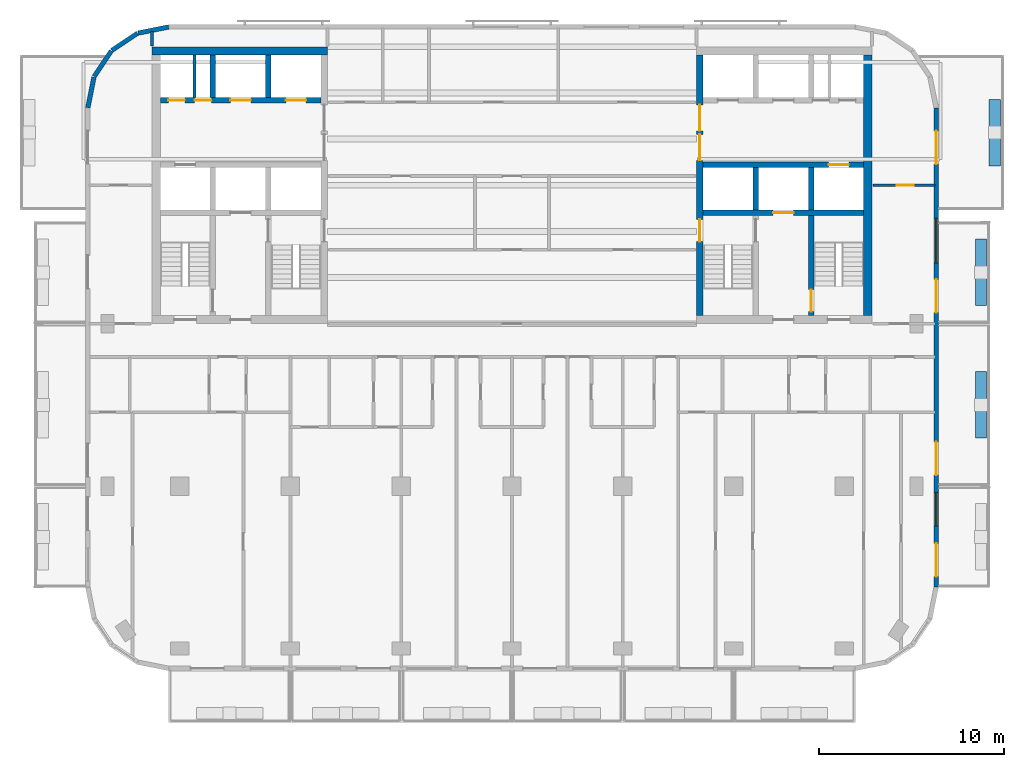
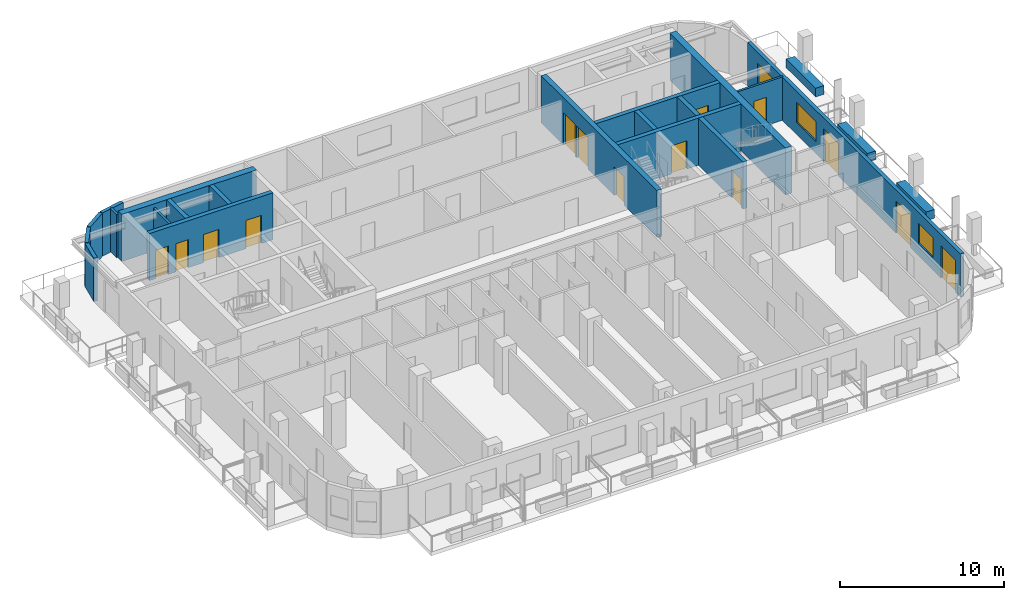
# One storey, part 6 of 11: 22 walls, 15 doors, 2 windows, 17 openings.
"""IFC4 building model written with IfcOpenShell, lengths in metres."""

from ifc_helpers import new_model, si_unit, direction, frame, frame_2d, origin, place, context, subcontext, project, spatial, rectangle, extrude, material, layer, layer_set, type_object, element, fill, save


model = new_model("IFC4")

# Units and contexts
model_context = context("Model", 3, precision=1e-05, world=origin(), true_north=direction((0.0, 1.0)))
body_context = subcontext(model_context, "Body", "Model", "MODEL_VIEW")
ifc_project = project(units=[si_unit("LENGTHUNIT", "METRE"), si_unit("AREAUNIT", "SQUARE_METRE"), si_unit("VOLUMEUNIT", "CUBIC_METRE"), si_unit("PLANEANGLEUNIT", "RADIAN"), si_unit("MASSUNIT", "GRAM", prefix="KILO")], contexts=[model_context])

# Site, building, storey
site_placement = place(None, origin())
site = spatial("IfcSite", under=ifc_project, at=site_placement, CompositionType="ELEMENT")
building_placement = place(site_placement, origin())
building = spatial("IfcBuilding", under=site, at=building_placement, Name="Torana Hotel and Residences", CompositionType="ELEMENT")
storey_placement = place(building_placement, frame((0.0, 0.0, 256.10009765625)))
storey = spatial("IfcBuildingStorey", under=building, at=storey_placement, Name="L67", CompositionType="ELEMENT", Elevation=256.10009765625)

# Wall, openings, doors
ifc_material_1 = material(Name="Concrete C60/75", Category="concrete")
ifc_layer_1 = layer(ifc_material_1, 0.300048828125)
ifc_layer_set_1 = layer_set([ifc_layer_1], Name="CORE WALL 300 C60/75")
wall_type_1 = type_object("IfcWallType", Name="CORE WALL 300 C60/75", PredefinedType="SHEAR", material=ifc_layer_set_1)
wall_1_placement = place(storey_placement, frame((-19.050048828125, -2.89990234375, 0.0), z_axis=(0.0, 0.0, 1.0), x_axis=(1.0, 0.0, 0.0)))
wall_1 = element("IfcWall", 1, at=wall_1_placement, inside=storey, type_object=wall_type_1, Name="Core wall W row-N", PredefinedType="SHEAR", context=body_context, shape_type="SweptSolid", body=[
    extrude(rectangle(XDim=8.699951171875, YDim=0.300048828125, at=frame_2d((4.35009765625, 0.0))), origin(), (0.0, 0.0, 1.0), 3.5),
])
opening_1_placement = place(wall_1_placement, frame((6.800048828125, 0.0, 0.0)))
opening_1 = element("IfcOpeningElement", 2, at=opening_1_placement, cuts=wall_1, Name="Opening LD", PredefinedType="OPENING", context=body_context, shape_type="SweptSolid", body=[
    extrude(rectangle(XDim=1.10009765625, YDim=2.10009765625, at=frame_2d((0.550048828125, 1.050048828125))), frame((0.0, 0.159912109375, 0.0), z_axis=(0.0, -1.0, 0.0), x_axis=(1.0, 0.0, 0.0)), (0.0, 0.0, 1.0), 0.320068359375),
])
opening_2_placement = place(wall_1_placement, frame((3.800048828125, 0.0, 0.0)))
opening_2 = element("IfcOpeningElement", 3, at=opening_2_placement, cuts=wall_1, Name="Opening LD", PredefinedType="OPENING", context=body_context, shape_type="SweptSolid", body=[
    extrude(rectangle(XDim=1.10009765625, YDim=2.10009765625, at=frame_2d((0.550048828125, 1.050048828125))), frame((0.0, 0.159912109375, 0.0), z_axis=(0.0, -1.0, 0.0), x_axis=(1.0, 0.0, 0.0)), (0.0, 0.0, 1.0), 0.320068359375),
])
opening_3_placement = place(wall_1_placement, frame((1.862548828125, 0.0, 0.0)))
opening_3 = element("IfcOpeningElement", 4, at=opening_3_placement, cuts=wall_1, Name="Opening L67-06", PredefinedType="OPENING", context=body_context, shape_type="SweptSolid", body=[
    extrude(rectangle(XDim=0.89990234375, YDim=2.10009765625, at=frame_2d((0.449951171875, 1.050048828125))), frame((0.0, 0.159912109375, 0.0), z_axis=(0.0, -1.0, 0.0), x_axis=(1.0, 0.0, 0.0)), (0.0, 0.0, 1.0), 0.320068359375),
])
opening_4_placement = place(wall_1_placement, frame((0.4375, 0.0, 0.0)))
opening_4 = element("IfcOpeningElement", 5, at=opening_4_placement, cuts=wall_1, Name="Opening L67-07", PredefinedType="OPENING", context=body_context, shape_type="SweptSolid", body=[
    extrude(rectangle(XDim=0.89990234375, YDim=2.10009765625, at=frame_2d((0.449951171875, 1.050048828125))), frame((0.0, 0.159912109375, 0.0), z_axis=(0.0, -1.0, 0.0), x_axis=(1.0, 0.0, 0.0)), (0.0, 0.0, 1.0), 0.320068359375),
])
ifc_material_2 = material(Name="Stainless steel 316", Category="steel")
door_type_1 = type_object("IfcDoorType", Name="LIFT LANDING DOOR LD 1100x2100", OperationType="DOUBLE_DOOR_SLIDING", PredefinedType="USERDEFINED", material=ifc_material_2)
door_1_placement = place(opening_1_placement, origin())
door_1 = element("IfcDoor", 6, at=door_1_placement, inside=storey, type_object=door_type_1, Name="Lift landing door H1 L67", ObjectType="LIFT LANDING DOOR", OperationType="DOUBLE_DOOR_SLIDING", OverallHeight=2.10009765625, OverallWidth=1.10009765625, PredefinedType="USERDEFINED", context=body_context, shape_type="SweptSolid", body=[
    extrude(rectangle(XDim=1.10009765625, YDim=2.10009765625, at=frame_2d((0.550048828125, 1.050048828125))), frame((0.0, 0.02490234375, 0.0), z_axis=(0.0, -1.0, 0.0), x_axis=(1.0, 0.0, 0.0)), (0.0, 0.0, 1.0), 0.050048828125),
])
fill(opening_1, door_1)
door_2_placement = place(opening_2_placement, origin())
door_2 = element("IfcDoor", 7, at=door_2_placement, inside=storey, type_object=door_type_1, Name="Lift landing door H2 L67", ObjectType="LIFT LANDING DOOR", OperationType="DOUBLE_DOOR_SLIDING", OverallHeight=2.10009765625, OverallWidth=1.10009765625, PredefinedType="USERDEFINED", context=body_context, shape_type="SweptSolid", body=[
    extrude(rectangle(XDim=1.10009765625, YDim=2.10009765625, at=frame_2d((0.550048828125, 1.050048828125))), frame((0.0, 0.02490234375, 0.0), z_axis=(0.0, -1.0, 0.0), x_axis=(1.0, 0.0, 0.0)), (0.0, 0.0, 1.0), 0.050048828125),
])
fill(opening_2, door_2)
ifc_material_3 = material(Name="Steel S235", Category="steel")
door_type_2 = type_object("IfcDoorType", Name="RISER ACCESS DOOR D5 900x2100", OperationType="SINGLE_SWING_LEFT", PredefinedType="DOOR", material=ifc_material_3)
door_3_placement = place(opening_3_placement, origin())
door_3 = element("IfcDoor", 8, at=door_3_placement, inside=storey, type_object=door_type_2, Name="N2A door L67", OperationType="SINGLE_SWING_LEFT", OverallHeight=2.10009765625, OverallWidth=0.89990234375, PredefinedType="DOOR", context=body_context, shape_type="SweptSolid", body=[
    extrude(rectangle(XDim=0.89990234375, YDim=2.10009765625, at=frame_2d((0.449951171875, 1.050048828125))), frame((0.0, 0.02490234375, 0.0), z_axis=(0.0, -1.0, 0.0), x_axis=(1.0, 0.0, 0.0)), (0.0, 0.0, 1.0), 0.050048828125),
])
fill(opening_3, door_3)
door_4_placement = place(opening_4_placement, origin())
door_4 = element("IfcDoor", 9, at=door_4_placement, inside=storey, type_object=door_type_2, Name="N2B door L67", OperationType="SINGLE_SWING_RIGHT", OverallHeight=2.10009765625, OverallWidth=0.89990234375, PredefinedType="DOOR", context=body_context, shape_type="SweptSolid", body=[
    extrude(rectangle(XDim=0.89990234375, YDim=2.10009765625, at=frame_2d((0.449951171875, 1.050048828125))), frame((0.0, 0.02490234375, 0.0), z_axis=(0.0, -1.0, 0.0), x_axis=(1.0, 0.0, 0.0)), (0.0, 0.0, 1.0), 0.050048828125),
])
fill(opening_4, door_4)

# Walls
for number, where, z_axis, x_axis, name in (
    (10, (-13.199951171875, -2.75, 0.0), (0.0, 0.0, 1.0), (0.0, 1.0, 0.0), "Core wall W x3.05-N"),
    (11, (-16.199951171875, -2.75, 0.0), (0.0, 0.0, 1.0), (0.0, 1.0, 0.0), "Core wall W x6.05-N"),
):
    element("IfcWall", number, at=place(storey_placement, frame(where, z_axis=z_axis, x_axis=x_axis)), inside=storey, type_object=wall_type_1, Name=name, PredefinedType="SHEAR", context=body_context, shape_type="SweptSolid", body=[
        extrude(rectangle(XDim=2.300048828125, YDim=0.300048828125, at=frame_2d((1.14990234375, 0.0))), origin(), (0.0, 0.0, 1.0), 3.5),
    ])

# Wall, opening, door
wall_2_placement = place(storey_placement, frame((10.35009765625, -6.39990234375, 0.0), z_axis=(0.0, 0.0, 1.0), x_axis=(1.0, 0.0, 0.0)))
wall_2 = element("IfcWall", 12, at=wall_2_placement, inside=storey, type_object=wall_type_1, Name="Core wall E row-S", PredefinedType="SHEAR", context=body_context, shape_type="SweptSolid", body=[
    extrude(rectangle(XDim=8.699951171875, YDim=0.300048828125, at=frame_2d((4.35009765625, 0.0))), origin(), (0.0, 0.0, 1.0), 3.5),
])
opening_5_placement = place(wall_2_placement, frame((6.800048828125, 0.0, 0.0)))
opening_5 = element("IfcOpeningElement", 13, at=opening_5_placement, cuts=wall_2, Name="Opening LD", PredefinedType="OPENING", context=body_context, shape_type="SweptSolid", body=[
    extrude(rectangle(XDim=1.10009765625, YDim=2.10009765625, at=frame_2d((0.550048828125, 1.050048828125))), frame((0.0, 0.159912109375, 0.0), z_axis=(0.0, -1.0, 0.0), x_axis=(1.0, 0.0, 0.0)), (0.0, 0.0, 1.0), 0.320068359375),
])
door_5_placement = place(opening_5_placement, origin())
door_5 = element("IfcDoor", 14, at=door_5_placement, inside=storey, type_object=door_type_1, Name="Lift landing door SV2 L67", ObjectType="LIFT LANDING DOOR", OperationType="DOUBLE_DOOR_SLIDING", OverallHeight=2.10009765625, OverallWidth=1.10009765625, PredefinedType="USERDEFINED", context=body_context, shape_type="SweptSolid", body=[
    extrude(rectangle(XDim=1.10009765625, YDim=2.10009765625, at=frame_2d((0.550048828125, 1.050048828125))), frame((0.0, 0.02490234375, 0.0), z_axis=(0.0, -1.0, 0.0), x_axis=(1.0, 0.0, 0.0)), (0.0, 0.0, 1.0), 0.050048828125),
])
fill(opening_5, door_5)

wall_3_placement = place(storey_placement, frame((10.35009765625, -9.0, 0.0), z_axis=(0.0, 0.0, 1.0), x_axis=(1.0, 0.0, 0.0)))
wall_3 = element("IfcWall", 15, at=wall_3_placement, inside=storey, type_object=wall_type_1, Name="Core wall E band", PredefinedType="SHEAR", context=body_context, shape_type="SweptSolid", body=[
    extrude(rectangle(XDim=8.699951171875, YDim=0.300048828125, at=frame_2d((4.35009765625, 0.0))), origin(), (0.0, 0.0, 1.0), 3.5),
])
opening_6_placement = place(wall_3_placement, frame((3.800048828125, 0.0, 0.0)))
opening_6 = element("IfcOpeningElement", 16, at=opening_6_placement, cuts=wall_3, Name="Opening LD", PredefinedType="OPENING", context=body_context, shape_type="SweptSolid", body=[
    extrude(rectangle(XDim=1.10009765625, YDim=2.10009765625, at=frame_2d((0.550048828125, 1.050048828125))), frame((0.0, 0.159912109375, 0.0), z_axis=(0.0, -1.0, 0.0), x_axis=(1.0, 0.0, 0.0)), (0.0, 0.0, 1.0), 0.320068359375),
])
door_6_placement = place(opening_6_placement, origin())
door_6 = element("IfcDoor", 17, at=door_6_placement, inside=storey, type_object=door_type_1, Name="Lift landing door FF2 L67", ObjectType="LIFT LANDING DOOR", OperationType="DOUBLE_DOOR_SLIDING", OverallHeight=2.10009765625, OverallWidth=1.10009765625, PredefinedType="USERDEFINED", context=body_context, shape_type="SweptSolid", body=[
    extrude(rectangle(XDim=1.10009765625, YDim=2.10009765625, at=frame_2d((0.550048828125, 1.050048828125))), frame((0.0, 0.02490234375, 0.0), z_axis=(0.0, -1.0, 0.0), x_axis=(1.0, 0.0, 0.0)), (0.0, 0.0, 1.0), 0.050048828125),
])
fill(opening_6, door_6)

# Walls
for number, where, z_axis, x_axis, name in (
    (18, (13.199951171875, -8.85009765625, 0.0), (0.0, 0.0, 1.0), (0.0, 1.0, 0.0), "Core wall E x3.05-S"),
    (19, (16.199951171875, -8.85009765625, 0.0), (0.0, 0.0, 1.0), (0.0, 1.0, 0.0), "Core wall E x6.05-S"),
):
    element("IfcWall", number, at=place(storey_placement, frame(where, z_axis=z_axis, x_axis=x_axis)), inside=storey, type_object=wall_type_1, Name=name, PredefinedType="SHEAR", context=body_context, shape_type="SweptSolid", body=[
        extrude(rectangle(XDim=2.300048828125, YDim=0.300048828125, at=frame_2d((1.14990234375, 0.0))), origin(), (0.0, 0.0, 1.0), 3.5),
    ])

# Wall, opening, door
wall_4_placement = place(storey_placement, frame((16.199951171875, -14.550048828125, 0.0), z_axis=(0.0, 0.0, 1.0), x_axis=(0.0, 1.0, 0.0)))
wall_4 = element("IfcWall", 20, at=wall_4_placement, inside=storey, type_object=wall_type_1, Name="Core wall E x6.05-band", PredefinedType="SHEAR", context=body_context, shape_type="SweptSolid", body=[
    extrude(rectangle(XDim=5.400146484375, YDim=0.300048828125, at=frame_2d((2.7001953125, 0.0))), origin(), (0.0, 0.0, 1.0), 3.5),
])
opening_7_placement = place(wall_4_placement, frame((0.199951171875, 0.0, 0.0)))
opening_7 = element("IfcOpeningElement", 21, at=opening_7_placement, cuts=wall_4, Name="Opening L67-18", PredefinedType="OPENING", context=body_context, shape_type="SweptSolid", body=[
    extrude(rectangle(XDim=1.199951171875, YDim=2.10009765625, at=frame_2d((0.60009765625, 1.050048828125))), frame((0.0, 0.159912109375, 0.0), z_axis=(0.0, -1.0, 0.0), x_axis=(1.0, 0.0, 0.0)), (0.0, 0.0, 1.0), 0.320068359375),
])
ifc_material_4 = material(Name="Steel S235", Category="steel")
door_type_3 = type_object("IfcDoorType", Name="STAIR FIRE DOOR D3 1200x2100", OperationType="SINGLE_SWING_LEFT", PredefinedType="DOOR", material=ifc_material_4)
door_7_placement = place(opening_7_placement, frame((0.60009765625, 0.0, 0.0), z_axis=(0.0, 0.0, 1.0), x_axis=(-1.0, 0.0, 0.0)))
door_7 = element("IfcDoor", 22, at=door_7_placement, inside=storey, type_object=door_type_3, Name="Stair-B-lobby door L67", OperationType="SINGLE_SWING_LEFT", OverallHeight=2.10009765625, OverallWidth=1.199951171875, PredefinedType="DOOR", context=body_context, shape_type="SweptSolid", body=[
    extrude(rectangle(XDim=1.199951171875, YDim=2.10009765625, at=frame_2d((0.0, 1.050048828125))), frame((0.0, -0.02490234375, 0.0), z_axis=(0.0, 1.0, 0.0), x_axis=(-1.0, 0.0, 0.0)), (0.0, 0.0, 1.0), 0.050048828125),
])
fill(opening_7, door_7)

# Wall, openings, doors
ifc_material_5 = material(Name="Concrete C60/75", Category="concrete")
ifc_layer_2 = layer(ifc_material_5, 0.35009765625)
ifc_layer_set_2 = layer_set([ifc_layer_2], Name="CORE WALL 350 C60/75")
wall_type_2 = type_object("IfcWallType", Name="CORE WALL 350 C60/75", PredefinedType="SHEAR", material=ifc_layer_set_2)
wall_5_placement = place(storey_placement, frame((10.175048828125, -14.550048828125, 0.0), z_axis=(0.0, 0.0, 1.0), x_axis=(0.0, 1.0, 0.0)))
wall_5 = element("IfcWall", 23, at=wall_5_placement, inside=storey, type_object=wall_type_2, Name="Core wall E arch", PredefinedType="SHEAR", context=body_context, shape_type="SweptSolid", body=[
    extrude(rectangle(XDim=14.10009765625, YDim=0.35009765625, at=frame_2d((7.050048828125, 0.0))), origin(), (0.0, 0.0, 1.0), 3.5),
])
opening_8_placement = place(wall_5_placement, frame((8.39990234375, 0.0, 0.0)))
opening_8 = element("IfcOpeningElement", 24, at=opening_8_placement, cuts=wall_5, Name="Opening L67-10", PredefinedType="OPENING", context=body_context, shape_type="SweptSolid", body=[
    extrude(rectangle(XDim=1.39990234375, YDim=2.39990234375, at=frame_2d((0.699951171875, 1.199951171875))), frame((0.0, 0.18505859375, 0.0), z_axis=(0.0, -1.0, 0.0), x_axis=(1.0, 0.0, 0.0)), (0.0, 0.0, 1.0), 0.3701171875),
])
opening_9_placement = place(wall_5_placement, frame((10.0, 0.0, 0.0)))
opening_9 = element("IfcOpeningElement", 25, at=opening_9_placement, cuts=wall_5, Name="Opening L67-11", PredefinedType="OPENING", context=body_context, shape_type="SweptSolid", body=[
    extrude(rectangle(XDim=1.39990234375, YDim=2.39990234375, at=frame_2d((0.699951171875, 1.199951171875))), frame((0.0, 0.18505859375, 0.0), z_axis=(0.0, -1.0, 0.0), x_axis=(1.0, 0.0, 0.0)), (0.0, 0.0, 1.0), 0.3701171875),
])
opening_10_placement = place(wall_5_placement, frame((4.0, 0.0, 0.0)))
opening_10 = element("IfcOpeningElement", 26, at=opening_10_placement, cuts=wall_5, Name="Opening L67-12", PredefinedType="OPENING", context=body_context, shape_type="SweptSolid", body=[
    extrude(rectangle(XDim=1.199951171875, YDim=2.10009765625, at=frame_2d((0.60009765625, 1.050048828125))), frame((0.0, 0.18505859375, 0.0), z_axis=(0.0, -1.0, 0.0), x_axis=(1.0, 0.0, 0.0)), (0.0, 0.0, 1.0), 0.3701171875),
])
ifc_material_6 = material(Name="Steel S235", Category="steel")
door_type_4 = type_object("IfcDoorType", Name="LOBBY FIRE DOOR D4 1400x2400", OperationType="DOUBLE_DOOR_SINGLE_SWING", PredefinedType="DOOR", material=ifc_material_6)
door_8_placement = place(opening_8_placement, origin())
door_8 = element("IfcDoor", 27, at=door_8_placement, inside=storey, type_object=door_type_4, Name="Lobby-1 door L67", OperationType="DOUBLE_DOOR_SINGLE_SWING", OverallHeight=2.39990234375, OverallWidth=1.39990234375, PredefinedType="DOOR", context=body_context, shape_type="SweptSolid", body=[
    extrude(rectangle(XDim=1.39990234375, YDim=2.39990234375, at=frame_2d((0.699951171875, 1.199951171875))), frame((0.0, 0.02490234375, 0.0), z_axis=(0.0, -1.0, 0.0), x_axis=(1.0, 0.0, 0.0)), (0.0, 0.0, 1.0), 0.050048828125),
])
fill(opening_8, door_8)
door_9_placement = place(opening_9_placement, origin())
door_9 = element("IfcDoor", 28, at=door_9_placement, inside=storey, type_object=door_type_4, Name="Lobby-2 door L67", OperationType="DOUBLE_DOOR_SINGLE_SWING", OverallHeight=2.39990234375, OverallWidth=1.39990234375, PredefinedType="DOOR", context=body_context, shape_type="SweptSolid", body=[
    extrude(rectangle(XDim=1.39990234375, YDim=2.39990234375, at=frame_2d((0.699951171875, 1.199951171875))), frame((0.0, 0.02490234375, 0.0), z_axis=(0.0, -1.0, 0.0), x_axis=(1.0, 0.0, 0.0)), (0.0, 0.0, 1.0), 0.050048828125),
])
fill(opening_9, door_9)
door_10_placement = place(opening_10_placement, frame((0.60009765625, 0.0, 0.0), z_axis=(0.0, 0.0, 1.0), x_axis=(-1.0, 0.0, 0.0)))
door_10 = element("IfcDoor", 29, at=door_10_placement, inside=storey, type_object=door_type_3, Name="Stair-A door L67", OperationType="SINGLE_SWING_RIGHT", OverallHeight=2.10009765625, OverallWidth=1.199951171875, PredefinedType="DOOR", context=body_context, shape_type="SweptSolid", body=[
    extrude(rectangle(XDim=1.199951171875, YDim=2.10009765625, at=frame_2d((0.0, 1.050048828125))), frame((0.0, -0.02490234375, 0.0), z_axis=(0.0, 1.0, 0.0), x_axis=(-1.0, 0.0, 0.0)), (0.0, 0.0, 1.0), 0.050048828125),
])
fill(opening_10, door_10)

# Walls
ifc_material_7 = material(Name="Concrete C60/75", Category="concrete")
ifc_layer_3 = layer(ifc_material_7, 0.449951171875)
ifc_layer_set_3 = layer_set([ifc_layer_3], Name="CORE WALL 450 C60/75")
wall_type_3 = type_object("IfcWallType", Name="CORE WALL 450 C60/75", PredefinedType="SHEAR", material=ifc_layer_set_3)
wall_6_placement = place(storey_placement, frame((-19.5, -0.22509765625, 0.0), z_axis=(0.0, 0.0, 1.0), x_axis=(1.0, 0.0, 0.0)))
element("IfcWall", 30, at=wall_6_placement, inside=storey, type_object=wall_type_3, Name="Core wall W rear", PredefinedType="SHEAR", context=body_context, shape_type="SweptSolid", body=[
    extrude(rectangle(XDim=9.5, YDim=0.449951171875, at=frame_2d((4.75, 0.0))), origin(), (0.0, 0.0, 1.0), 3.5),
])
wall_7_placement = place(storey_placement, frame((19.27490234375, -14.550048828125, 0.0), z_axis=(0.0, 0.0, 1.0), x_axis=(0.0, 1.0, 0.0)))
element("IfcWall", 31, at=wall_7_placement, inside=storey, type_object=wall_type_3, Name="Core wall E outer", PredefinedType="SHEAR", context=body_context, shape_type="SweptSolid", body=[
    extrude(rectangle(XDim=14.10009765625, YDim=0.449951171875, at=frame_2d((7.050048828125, 0.0))), origin(), (0.0, 0.0, 1.0), 3.5),
])
ifc_material_8 = material(Name="Black aluminium composite panel", Category="aluminium")
ifc_layer_4 = layer(ifc_material_8, 0.00390625, Name="Cladding", Category="cladding")
ifc_material_9 = material(Name="Ventilated air cavity")
ifc_layer_5 = layer(ifc_material_9, 0.0400390625, Name="Ventilated cavity", Category="cavity")
ifc_material_10 = material(Name="Mineral wool insulation")
ifc_layer_6 = layer(ifc_material_10, 0.090087890625, Name="Insulation", Category="insulation")
ifc_material_11 = material(Name="Steel S280GD", Category="steel")
ifc_layer_7 = layer(ifc_material_11, 0.092041015625, Name="Steel stud frame", Category="structure")
ifc_material_12 = material(Name="Fire rated plasterboard")
ifc_layer_8 = layer(ifc_material_12, 0.011962890625, Name="Inner board", Category="finish")
ifc_layer_9 = layer(ifc_material_12, 0.011962890625, Name="Second board", Category="finish")
ifc_layer_set_4 = layer_set([ifc_layer_4, ifc_layer_5, ifc_layer_6, ifc_layer_7, ifc_layer_8, ifc_layer_9], Name="EW1 EXTERNAL WALL BLACK METAL CLAD 250")
wall_type_4 = type_object("IfcWallType", Name="EW1 EXTERNAL WALL BLACK METAL CLAD 250", PredefinedType="SOLIDWALL", material=ifc_layer_set_4)
wall_8_placement = place(storey_placement, frame((-18.599853515625, 1.072509765625, 0.0), z_axis=(0.0, 0.0, 1.0), x_axis=(-0.980797896849, -0.195026884138, 0.0)))
element("IfcWall", 32, at=wall_8_placement, inside=storey, type_object=wall_type_4, Name="External wall L67 e0.5", PredefinedType="SOLIDWALL", context=body_context, shape_type="SweptSolid", body=[
    extrude(rectangle(XDim=1.68115234375, YDim=0.25, at=frame_2d((0.840576171875, 0.0))), origin(), (0.0, 0.0, 1.0), 3.219970703125),
])
for number, where, z_axis, x_axis, name in (
    (33, (-20.2939453125, 0.725830078125, 0.0), (0.0, 0.0, 1.0), (-0.831482937015, -0.55555029066, 0.0), "External wall L67 e0.6"),
    (34, (-21.705810546875, -0.228759765625, 0.0), (0.0, 0.0, 1.0), (-0.55555029066, -0.831482937015, 0.0), "External wall L67 e0.7"),
):
    element("IfcWall", number, at=place(storey_placement, frame(where, z_axis=z_axis, x_axis=x_axis)), inside=storey, type_object=wall_type_4, Name=name, PredefinedType="SOLIDWALL", context=body_context, shape_type="SweptSolid", body=[
        extrude(rectangle(XDim=1.65625, YDim=0.25, at=frame_2d((0.828125, 0.0))), origin(), (0.0, 0.0, 1.0), 3.219970703125),
    ])
wall_9_placement = place(storey_placement, frame((-22.64453125, -1.651123046875, 0.0), z_axis=(0.0, 0.0, 1.0), x_axis=(-0.19513878023, -0.980775640221, 0.0)))
element("IfcWall", 35, at=wall_9_placement, inside=storey, type_object=wall_type_4, Name="External wall L67 e0.8", PredefinedType="SOLIDWALL", context=body_context, shape_type="SweptSolid", body=[
    extrude(rectangle(XDim=1.681396484375, YDim=0.25, at=frame_2d((0.8408203125, 0.0))), origin(), (0.0, 0.0, 1.0), 3.219970703125),
])

# Wall, openings, doors, windows
wall_10_placement = place(storey_placement, frame((22.97509765625, -29.275390625, 0.0), z_axis=(0.0, 0.0, 1.0), x_axis=(0.0, 1.0, 0.0)))
wall_10 = element("IfcWall", 36, at=wall_10_placement, inside=storey, type_object=wall_type_4, Name="External wall L67 e0.19", PredefinedType="SOLIDWALL", context=body_context, shape_type="SweptSolid", body=[
    extrude(rectangle(XDim=25.95068359375, YDim=0.25, at=frame_2d((12.975341796875, 0.0))), origin(), (0.0, 0.0, 1.0), 3.219970703125),
])
opening_11_placement = place(wall_10_placement, frame((0.575439453125, 0.0, 0.0)))
opening_11 = element("IfcOpeningElement", 37, at=opening_11_placement, cuts=wall_10, Name="Opening L67-E07", PredefinedType="OPENING", context=body_context, shape_type="SweptSolid", body=[
    extrude(rectangle(XDim=1.800048828125, YDim=2.39990234375, at=frame_2d((0.89990234375, 1.199951171875))), frame((0.0, 0.135009765625, 0.0), z_axis=(0.0, -1.0, 0.0), x_axis=(1.0, 0.0, 0.0)), (0.0, 0.0, 1.0), 0.27001953125),
])
opening_12_placement = place(wall_10_placement, frame((3.325439453125, 0.0, 0.89990234375)))
opening_12 = element("IfcOpeningElement", 38, at=opening_12_placement, cuts=wall_10, Name="Opening W4", PredefinedType="OPENING", context=body_context, shape_type="SweptSolid", body=[
    extrude(rectangle(XDim=1.800048828125, YDim=1.5, at=frame_2d((0.89990234375, 0.75))), frame((0.0, 0.135009765625, 0.0), z_axis=(0.0, -1.0, 0.0), x_axis=(1.0, 0.0, 0.0)), (0.0, 0.0, 1.0), 0.27001953125),
])
opening_13_placement = place(wall_10_placement, frame((6.075439453125, 0.0, 0.0)))
opening_13 = element("IfcOpeningElement", 39, at=opening_13_placement, cuts=wall_10, Name="Opening L67-E08", PredefinedType="OPENING", context=body_context, shape_type="SweptSolid", body=[
    extrude(rectangle(XDim=1.800048828125, YDim=2.39990234375, at=frame_2d((0.89990234375, 1.199951171875))), frame((0.0, 0.135009765625, 0.0), z_axis=(0.0, -1.0, 0.0), x_axis=(1.0, 0.0, 0.0)), (0.0, 0.0, 1.0), 0.27001953125),
])
opening_14_placement = place(wall_10_placement, frame((14.87548828125, 0.0, 0.0)))
opening_14 = element("IfcOpeningElement", 40, at=opening_14_placement, cuts=wall_10, Name="Opening L67-E09", PredefinedType="OPENING", context=body_context, shape_type="SweptSolid", body=[
    extrude(rectangle(XDim=1.800048828125, YDim=2.39990234375, at=frame_2d((0.89990234375, 1.199951171875))), frame((0.0, 0.135009765625, 0.0), z_axis=(0.0, -1.0, 0.0), x_axis=(1.0, 0.0, 0.0)), (0.0, 0.0, 1.0), 0.27001953125),
])
opening_15_placement = place(wall_10_placement, frame((17.575439453125, 0.0, 0.89990234375)))
opening_15 = element("IfcOpeningElement", 41, at=opening_15_placement, cuts=wall_10, Name="Opening W3", PredefinedType="OPENING", context=body_context, shape_type="SweptSolid", body=[
    extrude(rectangle(XDim=2.39990234375, YDim=1.5, at=frame_2d((1.199951171875, 0.75))), frame((0.0, 0.135009765625, 0.0), z_axis=(0.0, -1.0, 0.0), x_axis=(1.0, 0.0, 0.0)), (0.0, 0.0, 1.0), 0.27001953125),
])
opening_16_placement = place(wall_10_placement, frame((22.92529296875, 0.0, 0.0)))
opening_16 = element("IfcOpeningElement", 42, at=opening_16_placement, cuts=wall_10, Name="Opening L67-E10", PredefinedType="OPENING", context=body_context, shape_type="SweptSolid", body=[
    extrude(rectangle(XDim=1.800048828125, YDim=2.39990234375, at=frame_2d((0.89990234375, 1.199951171875))), frame((0.0, 0.135009765625, 0.0), z_axis=(0.0, -1.0, 0.0), x_axis=(1.0, 0.0, 0.0)), (0.0, 0.0, 1.0), 0.27001953125),
])
ifc_material_13 = material(Name="Dark glass in black aluminium frame", Category="aluminium")
door_type_5 = type_object("IfcDoorType", Name="DB1 BALCONY DOOR 1800x2400", OperationType="DOUBLE_DOOR_SINGLE_SWING", PredefinedType="DOOR", material=ifc_material_13)
door_11_placement = place(opening_11_placement, origin())
door_11 = element("IfcDoor", 43, at=door_11_placement, inside=storey, type_object=door_type_5, Name="Balcony door L67", OperationType="DOUBLE_DOOR_SINGLE_SWING", OverallHeight=2.39990234375, OverallWidth=1.800048828125, PredefinedType="DOOR", context=body_context, shape_type="SweptSolid", body=[
    extrude(rectangle(XDim=1.800048828125, YDim=2.39990234375, at=frame_2d((0.89990234375, 1.199951171875))), frame((0.0, 0.02490234375, 0.0), z_axis=(0.0, -1.0, 0.0), x_axis=(1.0, 0.0, 0.0)), (0.0, 0.0, 1.0), 0.050048828125),
])
fill(opening_11, door_11)
door_12_placement = place(opening_13_placement, origin())
door_12 = element("IfcDoor", 44, at=door_12_placement, inside=storey, type_object=door_type_5, Name="Balcony door L67", OperationType="DOUBLE_DOOR_SINGLE_SWING", OverallHeight=2.39990234375, OverallWidth=1.800048828125, PredefinedType="DOOR", context=body_context, shape_type="SweptSolid", body=[
    extrude(rectangle(XDim=1.800048828125, YDim=2.39990234375, at=frame_2d((0.89990234375, 1.199951171875))), frame((0.0, 0.02490234375, 0.0), z_axis=(0.0, -1.0, 0.0), x_axis=(1.0, 0.0, 0.0)), (0.0, 0.0, 1.0), 0.050048828125),
])
fill(opening_13, door_12)
door_13_placement = place(opening_14_placement, origin())
door_13 = element("IfcDoor", 45, at=door_13_placement, inside=storey, type_object=door_type_5, Name="Balcony door L67", OperationType="DOUBLE_DOOR_SINGLE_SWING", OverallHeight=2.39990234375, OverallWidth=1.800048828125, PredefinedType="DOOR", context=body_context, shape_type="SweptSolid", body=[
    extrude(rectangle(XDim=1.800048828125, YDim=2.39990234375, at=frame_2d((0.89990234375, 1.199951171875))), frame((0.0, 0.02490234375, 0.0), z_axis=(0.0, -1.0, 0.0), x_axis=(1.0, 0.0, 0.0)), (0.0, 0.0, 1.0), 0.050048828125),
])
fill(opening_14, door_13)
door_14_placement = place(opening_16_placement, origin())
door_14 = element("IfcDoor", 46, at=door_14_placement, inside=storey, type_object=door_type_5, Name="Balcony door L67", OperationType="DOUBLE_DOOR_SINGLE_SWING", OverallHeight=2.39990234375, OverallWidth=1.800048828125, PredefinedType="DOOR", context=body_context, shape_type="SweptSolid", body=[
    extrude(rectangle(XDim=1.800048828125, YDim=2.39990234375, at=frame_2d((0.89990234375, 1.199951171875))), frame((0.0, 0.02490234375, 0.0), z_axis=(0.0, -1.0, 0.0), x_axis=(1.0, 0.0, 0.0)), (0.0, 0.0, 1.0), 0.050048828125),
])
fill(opening_16, door_14)
ifc_material_14 = material(Name="Dark glass in black aluminium frame", Category="aluminium")
window_type_1 = type_object("IfcWindowType", Name="W3 RESIDENCE WINDOW 2400x1500", PartitioningType="SINGLE_PANEL", PredefinedType="WINDOW", material=ifc_material_14)
window_1_placement = place(opening_15_placement, origin())
window_1 = element("IfcWindow", 47, at=window_1_placement, inside=storey, type_object=window_type_1, Name="Window L67", OverallHeight=1.5, OverallWidth=2.39990234375, PartitioningType="SINGLE_PANEL", PredefinedType="WINDOW", context=body_context, shape_type="SweptSolid", body=[
    extrude(rectangle(XDim=2.39990234375, YDim=1.5, at=frame_2d((1.199951171875, 0.75))), frame((0.0, 0.030029296875, 0.0), z_axis=(0.0, -1.0, 0.0), x_axis=(1.0, 0.0, 0.0)), (0.0, 0.0, 1.0), 0.06005859375),
])
fill(opening_15, window_1)
ifc_material_15 = material(Name="Dark glass in black aluminium frame", Category="aluminium")
window_type_2 = type_object("IfcWindowType", Name="W4 RESIDENCE WINDOW NARROW 1800x1500", PartitioningType="SINGLE_PANEL", PredefinedType="WINDOW", material=ifc_material_15)
window_2_placement = place(opening_12_placement, origin())
window_2 = element("IfcWindow", 48, at=window_2_placement, inside=storey, type_object=window_type_2, Name="Window L67", OverallHeight=1.5, OverallWidth=1.800048828125, PartitioningType="SINGLE_PANEL", PredefinedType="WINDOW", context=body_context, shape_type="SweptSolid", body=[
    extrude(rectangle(XDim=1.800048828125, YDim=1.5, at=frame_2d((0.89990234375, 0.75))), frame((0.0, 0.030029296875, 0.0), z_axis=(0.0, -1.0, 0.0), x_axis=(1.0, 0.0, 0.0)), (0.0, 0.0, 1.0), 0.06005859375),
])
fill(opening_12, window_2)

# Walls
ifc_material_16 = material(Name="Gypsum plaster")
ifc_layer_10 = layer(ifc_material_16, 0.014892578125, Name="Plaster", Category="finish")
ifc_material_17 = material(Name="Concrete blockwork", Category="masonry")
ifc_layer_11 = layer(ifc_material_17, 0.1201171875, Name="Blockwork", Category="structure")
ifc_layer_12 = layer(ifc_material_16, 0.014892578125, Name="Plaster", Category="finish")
ifc_layer_set_5 = layer_set([ifc_layer_10, ifc_layer_11, ifc_layer_12], Name="FIRE PARTITION 150 BLOCKWORK")
wall_type_5 = type_object("IfcWallType", Name="FIRE PARTITION 150 BLOCKWORK", PredefinedType="PARTITIONING", material=ifc_layer_set_5)
wall_11_placement = place(storey_placement, frame((-17.199951171875, -2.75, 0.0), z_axis=(0.0, 0.0, 1.0), x_axis=(0.0, 1.0, 0.0)))
element("IfcWall", 49, at=wall_11_placement, inside=storey, type_object=wall_type_5, Name="Core partition L67", PredefinedType="PARTITIONING", context=body_context, shape_type="SweptSolid", body=[
    extrude(rectangle(XDim=2.300048828125, YDim=0.14990234375, at=frame_2d((1.14990234375, 0.0))), origin(), (0.0, 0.0, 1.0), 3.199951171875),
])
ifc_material_18 = material(Name="Gypsum plasterboard")
ifc_layer_13 = layer(ifc_material_18, 0.012451171875, Name="Plasterboard", Category="finish")
ifc_layer_14 = layer(ifc_material_18, 0.012451171875, Name="Plasterboard", Category="finish")
ifc_layer_15 = layer(ifc_material_11, 0.10009765625, Name="Steel studs with mineral wool", Category="insulation")
ifc_layer_16 = layer(ifc_material_18, 0.012451171875, Name="Plasterboard", Category="finish")
ifc_layer_17 = layer(ifc_material_18, 0.012451171875, Name="Plasterboard", Category="finish")
ifc_layer_set_6 = layer_set([ifc_layer_13, ifc_layer_14, ifc_layer_15, ifc_layer_16, ifc_layer_17], Name="PARTITION 150 PLASTERBOARD")
wall_type_6 = type_object("IfcWallType", Name="PARTITION 150 PLASTERBOARD", PredefinedType="PARTITIONING", material=ifc_layer_set_6)
wall_12_placement = place(storey_placement, frame((-19.5, 0.050048828125, 0.0), z_axis=(0.0, 0.0, 1.0), x_axis=(0.0, 1.0, 0.0)))
element("IfcWall", 50, at=wall_12_placement, inside=storey, type_object=wall_type_6, Name="Partition L67", PredefinedType="PARTITIONING", context=body_context, shape_type="SweptSolid", body=[
    extrude(rectangle(XDim=0.787353515625, YDim=0.14990234375, at=frame_2d((0.3935546875, 0.0))), origin(), (0.0, 0.0, 1.0), 3.219970703125),
])

# Wall, opening, door
wall_13_placement = place(storey_placement, frame((19.550048828125, -7.5, 0.0), z_axis=(0.0, 0.0, 1.0), x_axis=(1.0, 0.0, 0.0)))
wall_13 = element("IfcWall", 51, at=wall_13_placement, inside=storey, type_object=wall_type_6, Name="Partition L67", PredefinedType="PARTITIONING", context=body_context, shape_type="SweptSolid", body=[
    extrude(rectangle(XDim=3.369873046875, YDim=0.14990234375, at=frame_2d((1.68505859375, 0.0))), origin(), (0.0, 0.0, 1.0), 3.219970703125),
])
opening_17_placement = place(wall_13_placement, frame((1.300048828125, 0.0, 0.0)))
opening_17 = element("IfcOpeningElement", 52, at=opening_17_placement, cuts=wall_13, Name="Opening L67-62", PredefinedType="OPENING", context=body_context, shape_type="SweptSolid", body=[
    extrude(rectangle(XDim=0.89990234375, YDim=2.10009765625, at=frame_2d((0.449951171875, 1.050048828125))), frame((0.0, 0.0849609375, 0.0), z_axis=(0.0, -1.0, 0.0), x_axis=(1.0, 0.0, 0.0)), (0.0, 0.0, 1.0), 0.169921875),
])
ifc_material_19 = material(Name="Timber door, oiled ash", Category="wood")
door_type_6 = type_object("IfcDoorType", Name="ROOM DOOR D7 900x2100", OperationType="SINGLE_SWING_LEFT", PredefinedType="DOOR", material=ifc_material_19)
door_15_placement = place(opening_17_placement, origin())
door_15 = element("IfcDoor", 53, at=door_15_placement, inside=storey, type_object=door_type_6, Name="Door L67", OperationType="SINGLE_SWING_LEFT", OverallHeight=2.10009765625, OverallWidth=0.89990234375, PredefinedType="DOOR", context=body_context, shape_type="SweptSolid", body=[
    extrude(rectangle(XDim=0.89990234375, YDim=2.10009765625, at=frame_2d((0.449951171875, 1.050048828125))), frame((0.0, 0.02490234375, 0.0), z_axis=(0.0, -1.0, 0.0), x_axis=(1.0, 0.0, 0.0)), (0.0, 0.0, 1.0), 0.050048828125),
])
fill(opening_17, door_15)

# Walls
ifc_material_20 = material(Name="Concrete C40/50 precast", Category="concrete")
ifc_layer_18 = layer(ifc_material_20, 0.10009765625, Name="Planter shell", Category="structure")
ifc_material_21 = material(Name="Root resistant membrane")
ifc_layer_19 = layer(ifc_material_21, 0.00390625, Name="Waterproofing membrane", Category="membrane")
ifc_material_22 = material(Name="Drainage board with filter fleece")
ifc_layer_20 = layer(ifc_material_22, 0.02001953125, Name="Drainage board", Category="drainage")
ifc_material_23 = material(Name="Growing medium")
ifc_layer_21 = layer(ifc_material_23, 0.47607421875, Name="Planting substrate", Category="soil")
ifc_layer_set_7 = layer_set([ifc_layer_18, ifc_layer_19, ifc_layer_20, ifc_layer_21], Name="PL1 BALCONY PLANTER 600")
wall_type_7 = type_object("IfcWallType", Name="PL1 BALCONY PLANTER 600", PredefinedType="USERDEFINED", material=ifc_layer_set_7)
for number, where, z_axis, x_axis, name in (
    (54, (25.39990234375, -17.60009765625, 0.0), (0.0, 0.0, 1.0), (0.0, -1.0, 0.0), "Planter 12"),
    (55, (25.39990234375, -10.425048828125, 0.0), (0.0, 0.0, 1.0), (0.0, -1.0, 0.0), "Planter 13"),
    (56, (26.14990234375, -2.85009765625, 0.0), (0.0, 0.0, 1.0), (0.0, -1.0, 0.0), "Planter 14"),
):
    element("IfcWall", number, at=place(storey_placement, frame(where, z_axis=z_axis, x_axis=x_axis)), inside=storey, type_object=wall_type_7, Name=name, ObjectType="PLANTER", PredefinedType="USERDEFINED", context=body_context, shape_type="SweptSolid", body=[
        extrude(rectangle(XDim=3.599853515625, YDim=0.60009765625, at=frame_2d((1.7998046875, 0.0))), origin(), (0.0, 0.0, 1.0), 0.64990234375),
    ])

save(model, "model.ifc")
